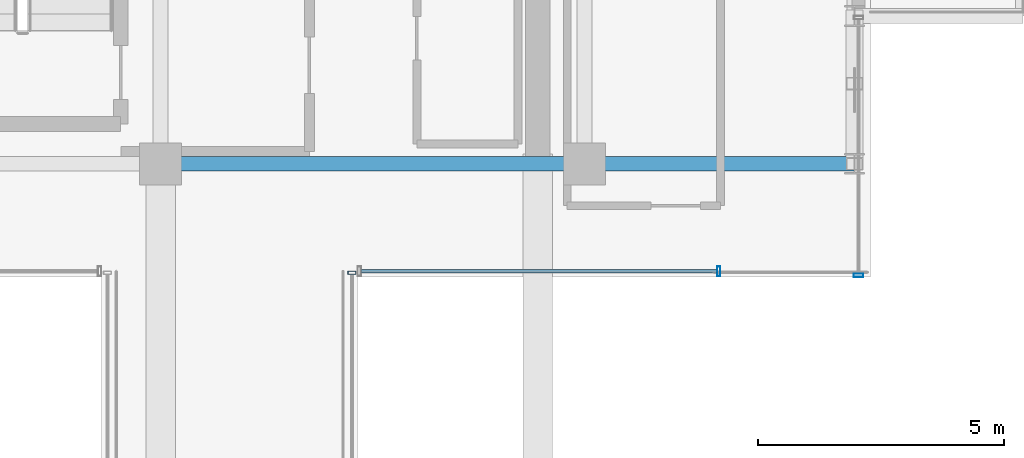
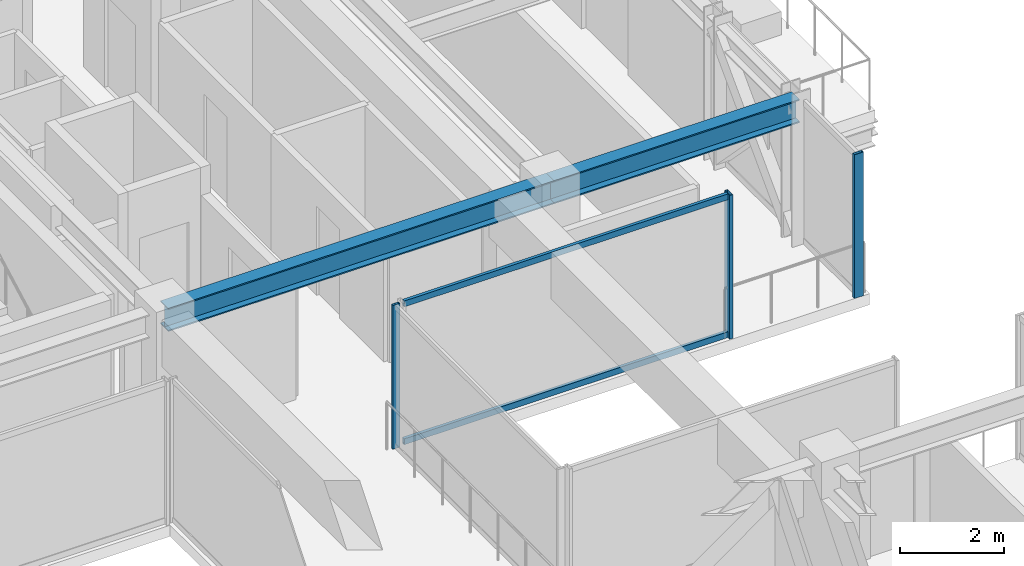
# One storey, part 17 of 38: 5 members, 2 beams, 3 elements without a shape of their own.
"""IFC4 building model written with IfcOpenShell, lengths in metres."""

from ifc_helpers import new_model, si_unit, direction, frame, origin, origin_2d, place, context, subcontext, project, spatial, hollow_rectangle, i_section, extrude, source, transform, mapped, material, material_profile, profile_set, type_object, element, aggregate, save


model = new_model("IFC4")

# Units and contexts
model_context = context("Model", 3, precision=1e-05, world=origin(), true_north=direction((0.0, 1.0)))
body_context = subcontext(model_context, "Body", "Model", "MODEL_VIEW")
ifc_project = project(units=[si_unit("LENGTHUNIT", "METRE"), si_unit("AREAUNIT", "SQUARE_METRE"), si_unit("VOLUMEUNIT", "CUBIC_METRE"), si_unit("PLANEANGLEUNIT", "RADIAN"), si_unit("MASSUNIT", "GRAM", prefix="KILO")], contexts=[model_context])

# Site, building, storey
site_placement = place(None, origin())
site = spatial("IfcSite", under=ifc_project, at=site_placement, CompositionType="ELEMENT")
building_placement = place(site_placement, origin())
building = spatial("IfcBuilding", under=site, at=building_placement, Name="Nahalor Promenade Grand Hotel", CompositionType="ELEMENT")
storey_placement = place(building_placement, frame((0.0, 0.0, 163.60009765625)))
storey = spatial("IfcBuildingStorey", under=building, at=storey_placement, Name="L41", CompositionType="ELEMENT", Elevation=163.60009765625)

# Beams
ifc_material_1 = material(Name="Steel S355JR", Category="steel")
ifc_material_profile_1 = material_profile(ifc_material_1, i_section(OverallWidth=0.3, OverallDepth=0.55, WebThickness=0.015, FlangeThickness=0.029, at=origin_2d()), Name="HEB 550")
ifc_profile_set_1 = profile_set([ifc_material_profile_1], Name="Steel S355JR")
beam_type = type_object("IfcBeamType", Name="Beam-Girder-HEB550", PredefinedType="BEAM", material=ifc_profile_set_1)
shared_shape_1 = source(origin(), body_context, "Body", "SweptSolid", [
    extrude(i_section(OverallWidth=0.3, OverallDepth=0.55, WebThickness=0.015, FlangeThickness=0.029, at=origin_2d()), origin(), (0.0, 0.0, 1.0), 8.60009765625),
])
beam_1_placement = place(storey_placement, frame((8.39990234375, 5.39990234375, 3.114990234375), z_axis=(1.0, 0.0, 0.0), x_axis=(0.0, 1.0, 0.0)))
element("IfcBeam", 1, at=beam_1_placement, inside=storey, type_object=beam_type, Name="BM-L41-GX-2-5", PredefinedType="BEAM", context=body_context, shape_type="MappedRepresentation", body=[
    mapped(shared_shape_1, transform((0.0, 0.0, 0.0), scale=1.0)),
])
shared_shape_2 = source(origin(), body_context, "Body", "SweptSolid", [
    extrude(i_section(OverallWidth=0.3, OverallDepth=0.55, WebThickness=0.015, FlangeThickness=0.029, at=origin_2d()), origin(), (0.0, 0.0, 1.0), 5.47998046875),
])
beam_2_placement = place(storey_placement, frame((17.0, 5.39990234375, 3.114990234375), z_axis=(1.0, 0.0, 0.0), x_axis=(0.0, 1.0, 0.0)))
element("IfcBeam", 2, at=beam_2_placement, inside=storey, type_object=beam_type, Name="BM-L41-GX-2-6", PredefinedType="BEAM", context=body_context, shape_type="MappedRepresentation", body=[
    mapped(shared_shape_2, transform((0.0, 0.0, 0.0), scale=1.0)),
])

# Curtain wall, members
ifc_material_2 = material(Name="Anodised Bronze Aluminium EN AW-6063 T6", Category="aluminium")
curtain_wall_type_1 = type_object("IfcCurtainWallType", Name="CW3 Elliptical-Void Collar Unitised Curtain Wall", PredefinedType="USERDEFINED", material=ifc_material_2)
curtain_wall_1_placement = place(storey_placement, origin())
curtain_wall_1 = element("IfcCurtainWall", 3, at=curtain_wall_1_placement, inside=storey, type_object=curtain_wall_type_1, Name="L41 Curtain Wall CW-L41-VOID-EN1", ObjectType="UNITISED_CURTAIN_WALL", PredefinedType="USERDEFINED")
ifc_material_profile_2 = material_profile(ifc_material_2, hollow_rectangle(XDim=0.07, YDim=0.14, WallThickness=0.004, at=origin_2d()), Name="CWT 70x140x4")
ifc_profile_set_2 = profile_set([ifc_material_profile_2], Name="Anodised Bronze Aluminium EN AW-6063 T6")
member_type_1 = type_object("IfcMemberType", Name="CWT3 Void Collar Transom 70x140", PredefinedType="USERDEFINED", material=ifc_profile_set_2)
shared_shape_3 = source(origin(), body_context, "Body", "SweptSolid", [
    extrude(hollow_rectangle(XDim=0.07, YDim=0.14, WallThickness=0.004, at=origin_2d()), origin(), (0.0, 0.0, 1.0), 7.219970703125),
])
member_1_placement = place(storey_placement, frame((12.469970703125, 3.219970703125, 0.06982421875), z_axis=(1.0, 0.0, 0.0), x_axis=(0.0, 1.0, 0.0)))
member_1 = element("IfcMember", 4, at=member_1_placement, type_object=member_type_1, Name="CW-L41-VOID-EN1 Transom 0-0", ObjectType="TRANSOM", PredefinedType="USERDEFINED", context=body_context, shape_type="MappedRepresentation", body=[
    mapped(shared_shape_3, transform((0.0, 0.0, 0.0), scale=1.0)),
])
member_2_placement = place(storey_placement, frame((12.469970703125, 3.219970703125, 3.31982421875), z_axis=(1.0, 0.0, 0.0), x_axis=(0.0, 1.0, 0.0)))
member_2 = element("IfcMember", 5, at=member_2_placement, type_object=member_type_1, Name="CW-L41-VOID-EN1 Transom 0-1", ObjectType="TRANSOM", PredefinedType="USERDEFINED", context=body_context, shape_type="MappedRepresentation", body=[
    mapped(shared_shape_3, transform((0.0, 0.0, 0.0), scale=1.0)),
])

# Curtain wall, member
curtain_wall_2_placement = place(storey_placement, origin())
curtain_wall_2 = element("IfcCurtainWall", 6, at=curtain_wall_2_placement, inside=storey, type_object=curtain_wall_type_1, Name="L41 Curtain Wall CW-L41-E-2", ObjectType="UNITISED_CURTAIN_WALL", PredefinedType="USERDEFINED")
ifc_material_profile_3 = material_profile(ifc_material_2, hollow_rectangle(XDim=0.07, YDim=0.2, WallThickness=0.005, at=origin_2d()), Name="CWM 70x200x5")
ifc_profile_set_3 = profile_set([ifc_material_profile_3], Name="Anodised Bronze Aluminium EN AW-6063 T6")
member_type_2 = type_object("IfcMemberType", Name="CWM3 Void Collar Mullion 70x200", PredefinedType="MULLION", material=ifc_profile_set_3)
shared_shape_4 = source(origin(), body_context, "Body", "SweptSolid", [
    extrude(hollow_rectangle(XDim=0.07, YDim=0.2, WallThickness=0.005, at=origin_2d()), origin(), (0.0, 0.0, 1.0), 3.389892578125),
])
member_3_placement = place(storey_placement, frame((22.56005859375, 3.135009765625, 0.0), z_axis=(0.0, 0.0, 1.0), x_axis=(0.0, 1.0, 0.0)))
member_3 = element("IfcMember", 7, at=member_3_placement, type_object=member_type_2, Name="CW-L41-E-2 Mullion 0", PredefinedType="MULLION", context=body_context, shape_type="MappedRepresentation", body=[
    mapped(shared_shape_4, transform((0.0, 0.0, 0.0), scale=1.0)),
])
aggregate(curtain_wall_2, [member_3])

# Member
member_4_placement = place(storey_placement, frame((19.72509765625, 3.219970703125, 0.0), z_axis=(0.0, 0.0, 1.0), x_axis=(1.0, 0.0, 0.0)))
member_4 = element("IfcMember", 8, at=member_4_placement, type_object=member_type_2, Name="CW-L41-VOID-EN1 Mullion 1", PredefinedType="MULLION", context=body_context, shape_type="MappedRepresentation", body=[
    mapped(shared_shape_4, transform((0.0, 0.0, 0.0), scale=1.0)),
])

aggregate(curtain_wall_1, [member_4, member_1, member_2])

# Curtain wall, member
curtain_wall_type_2 = type_object("IfcCurtainWallType", Name="CW4 Low-Iron Sky-Gallery Bridge Curtain Wall", PredefinedType="USERDEFINED", material=ifc_material_2)
curtain_wall_3_placement = place(storey_placement, origin())
curtain_wall_3 = element("IfcCurtainWall", 9, at=curtain_wall_3_placement, inside=storey, type_object=curtain_wall_type_2, Name="L41 Curtain Wall CW-L41-BRG-E", ObjectType="UNITISED_CURTAIN_WALL", PredefinedType="USERDEFINED")
ifc_material_profile_4 = material_profile(ifc_material_2, hollow_rectangle(XDim=0.06, YDim=0.16, WallThickness=0.004, at=origin_2d()), Name="CWM 60x160x4")
ifc_profile_set_4 = profile_set([ifc_material_profile_4], Name="Anodised Bronze Aluminium EN AW-6063 T6")
member_type_3 = type_object("IfcMemberType", Name="CWM4 Sky-Gallery Slim Mullion 60x160", PredefinedType="MULLION", material=ifc_profile_set_4)
shared_shape_5 = source(origin(), body_context, "Body", "SweptSolid", [
    extrude(hollow_rectangle(XDim=0.06, YDim=0.16, WallThickness=0.004, at=origin_2d()), origin(), (0.0, 0.0, 1.0), 3.389892578125),
])
member_5_placement = place(storey_placement, frame((12.280029296875, 3.18994140625, 0.0), z_axis=(0.0, 0.0, 1.0), x_axis=(0.0, 1.0, 0.0)))
member_5 = element("IfcMember", 10, at=member_5_placement, type_object=member_type_3, Name="CW-L41-BRG-E Mullion 1", PredefinedType="MULLION", context=body_context, shape_type="MappedRepresentation", body=[
    mapped(shared_shape_5, transform((0.0, 0.0, 0.0), scale=1.0)),
])
aggregate(curtain_wall_3, [member_5])

save(model, "model.ifc")
